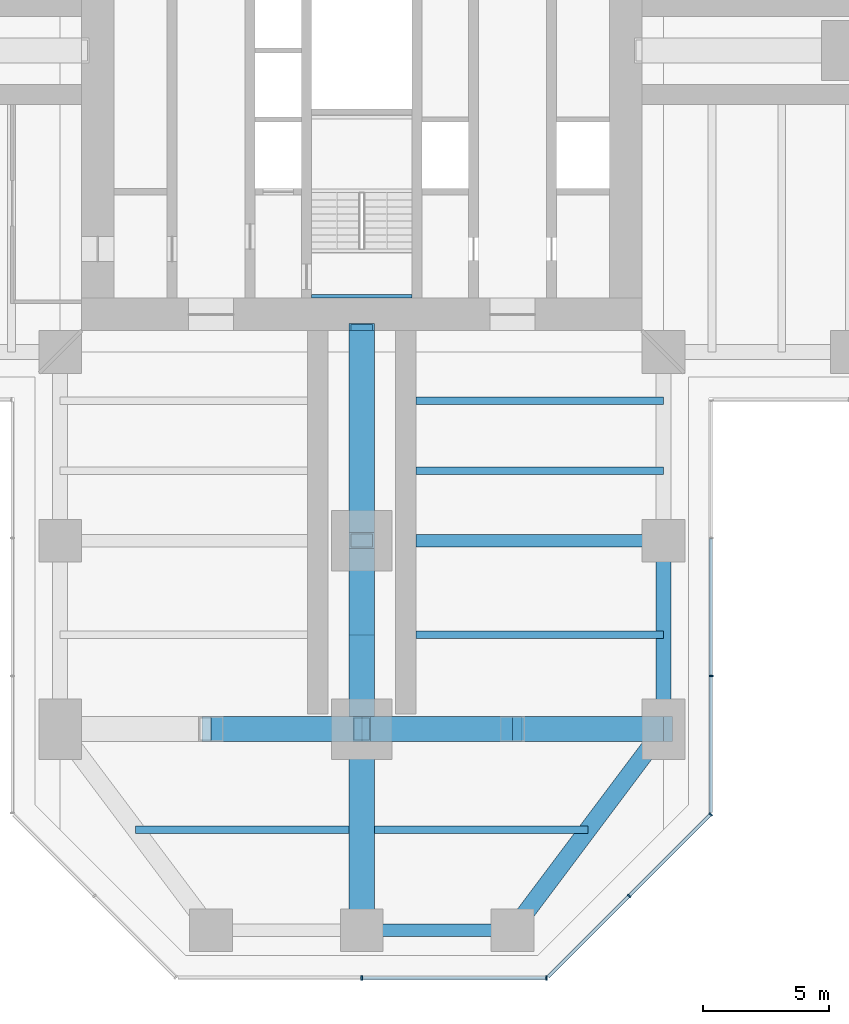
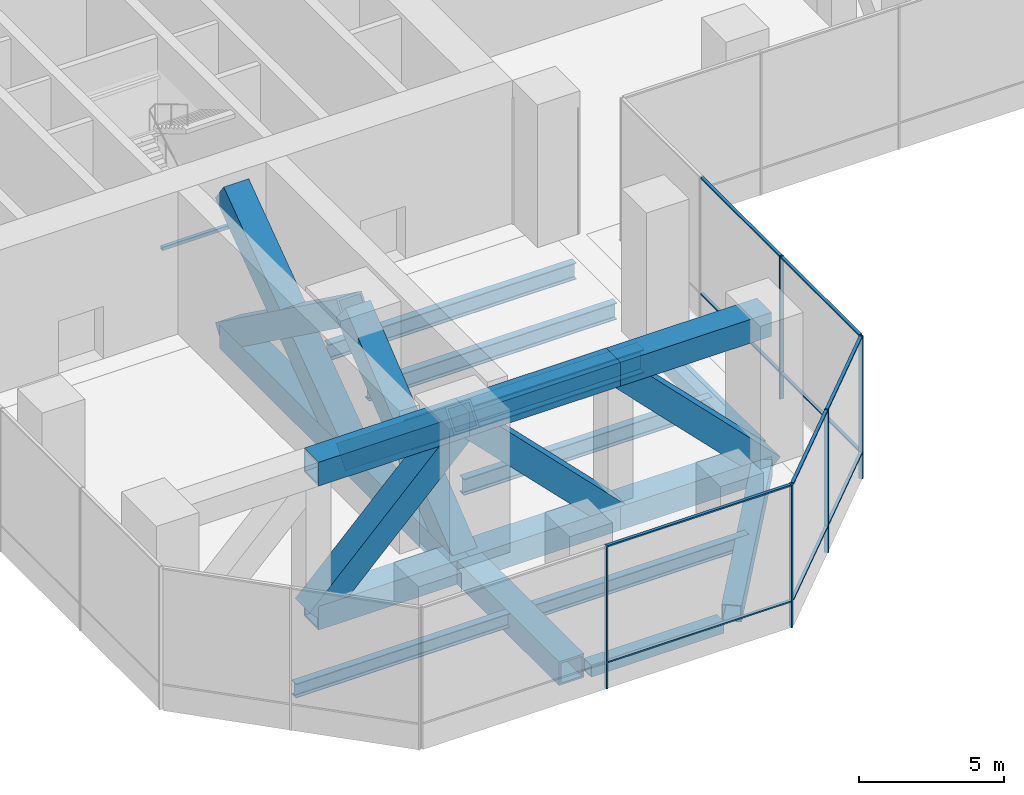
# One storey, part 5 of 20: 28 members, 13 beams, 3 elements without a shape of their own.
"""IFC4 building model written with IfcOpenShell, lengths in metres."""

from ifc_helpers import new_model, si_unit, direction, frame, origin, origin_2d, place, context, subcontext, project, spatial, rectangle, hollow_rectangle, i_section, extrude, material, material_profile, profile_set, type_object, element, aggregate, save


model = new_model("IFC4")

# Units and contexts
model_context = context("Model", 3, precision=1e-05, world=origin(), true_north=direction((0.0, 1.0)))
body_context = subcontext(model_context, "Body", "Model", "MODEL_VIEW")
ifc_project = project(units=[si_unit("LENGTHUNIT", "METRE"), si_unit("AREAUNIT", "SQUARE_METRE"), si_unit("VOLUMEUNIT", "CUBIC_METRE"), si_unit("PLANEANGLEUNIT", "RADIAN"), si_unit("MASSUNIT", "GRAM", prefix="KILO")], contexts=[model_context])

# Site, building, storey
site_placement = place(None, origin())
site = spatial("IfcSite", under=ifc_project, at=site_placement, CompositionType="ELEMENT")
building_placement = place(site_placement, origin())
building = spatial("IfcBuilding", under=site, at=building_placement, Name="Mizan Broadcast Tower", CompositionType="ELEMENT")
storey_placement = place(building_placement, frame((0.0, 0.0, 118.199951171875)))
storey = spatial("IfcBuildingStorey", under=building, at=storey_placement, Name="L26", CompositionType="ELEMENT", Elevation=118.199951171875)

# Members
ifc_material_1 = material(Name="Steel S460", Category="steel")
ifc_material_profile_1 = material_profile(ifc_material_1, hollow_rectangle(XDim=1.0, YDim=1.0, WallThickness=0.080078125, at=origin_2d()), Name="BOX 1000x1000x80")
ifc_profile_set_1 = profile_set([ifc_material_profile_1], Name="Steel S460")
member_type_1 = type_object("IfcMemberType", Name="BELT TRUSS BT2 CHORD BOX 1000x1000x80", PredefinedType="CHORD", material=ifc_profile_set_1)
for number, where, z_axis, x_axis, name in (
    (1, (-6.0, -27.0, -0.679931640625), (1.0, 0.0, 0.0), (0.0, 1.0, 0.0), "Belt truss BT2-S27 bottom chord 2"),
    (2, (-6.0, -27.0, 5.3701171875), (1.0, 0.0, 0.0), (0.0, 1.0, 0.0), "Belt truss BT2-S27 top chord 2"),
    (3, (0.0, -27.0, -0.679931640625), (1.0, 0.0, 0.0), (0.0, 1.0, 0.0), "Belt truss BT2-S27 bottom chord 3"),
    (4, (0.0, -27.0, 5.3701171875), (1.0, 0.0, 0.0), (0.0, 1.0, 0.0), "Belt truss BT2-S27 top chord 3"),
    (5, (6.0, -27.0, -0.679931640625), (1.0, 0.0, 0.0), (0.0, 1.0, 0.0), "Belt truss BT2-S27 bottom chord 4"),
    (6, (6.0, -27.0, 5.3701171875), (1.0, 0.0, 0.0), (0.0, 1.0, 0.0), "Belt truss BT2-S27 top chord 4"),
):
    element("IfcMember", number, at=place(storey_placement, frame(where, z_axis=z_axis, x_axis=x_axis)), inside=storey, type_object=member_type_1, Name=name, PredefinedType="CHORD", context=body_context, shape_type="SweptSolid", body=[
        extrude(hollow_rectangle(XDim=1.0, YDim=1.0, WallThickness=0.080078125, at=origin_2d()), origin(), (0.0, 0.0, 1.0), 6.0),
    ])
ifc_material_2 = material(Name="Steel S460", Category="steel")
ifc_material_profile_2 = material_profile(ifc_material_2, hollow_rectangle(XDim=1.0, YDim=1.0, WallThickness=0.06005859375, at=origin_2d()), Name="BOX 1000x1000x60")
ifc_profile_set_2 = profile_set([ifc_material_profile_2], Name="Steel S460")
member_type_2 = type_object("IfcMemberType", Name="BELT TRUSS BT2 DIAGONAL BOX 1000x1000x60", PredefinedType="BRACE", material=ifc_profile_set_2)
for number, where, z_axis, x_axis, name in (
    (7, (-6.0, -27.0, -0.679931640625), (0.704163801085, 0.0, 0.710037563261), (0.0, 1.0, 0.0), "Belt truss BT2-S27 diagonal 2"),
    (8, (6.0, -27.0, -0.679931640625), (-0.704163801085, 0.0, 0.710037563261), (0.0, -1.0, 0.0), "Belt truss BT2-S27 diagonal 3"),
    (9, (12.0, -27.0, -0.679931640625), (-0.704163801085, 0.0, 0.710037563261), (0.0, -1.0, 0.0), "Belt truss BT2-S27 diagonal 4"),
):
    element("IfcMember", number, at=place(storey_placement, frame(where, z_axis=z_axis, x_axis=x_axis)), inside=storey, type_object=member_type_2, Name=name, PredefinedType="BRACE", context=body_context, shape_type="SweptSolid", body=[
        extrude(hollow_rectangle(XDim=1.0, YDim=1.0, WallThickness=0.06005859375, at=origin_2d()), origin(), (0.0, 0.0, 1.0), 8.520751953125),
    ])

# Beams
ifc_material_3 = material(Name="Steel S355", Category="steel")
ifc_material_profile_3 = material_profile(ifc_material_3, hollow_rectangle(XDim=0.5, YDim=0.5, WallThickness=0.030029296875, at=origin_2d()), Name="BOX 500x500x30")
ifc_profile_set_3 = profile_set([ifc_material_profile_3], Name="Steel S355")
beam_type_1 = type_object("IfcBeamType", Name="EDGE BEAM BOX 500x500x30", PredefinedType="SPANDREL", material=ifc_profile_set_3)
beam_1_placement = place(storey_placement, frame((5.639892578125, -35.0, -0.429931640625), z_axis=(-1.0, 0.0, 0.0), x_axis=(0.0, -1.0, 0.0)))
element("IfcBeam", 10, at=beam_1_placement, inside=storey, type_object=beam_type_1, Name="Edge beam BOX 500x500x30 L26 south arm", PredefinedType="SPANDREL", context=body_context, shape_type="SweptSolid", body=[
    extrude(hollow_rectangle(XDim=0.5, YDim=0.5, WallThickness=0.030029296875, at=origin_2d()), origin(), (0.0, 0.0, 1.0), 5.27978515625),
])
ifc_material_4 = material(Name="Steel S355", Category="steel")
ifc_material_profile_4 = material_profile(ifc_material_4, hollow_rectangle(XDim=0.60009765625, YDim=0.60009765625, WallThickness=0.0400390625, at=origin_2d()), Name="BOX 600x600x40")
ifc_profile_set_4 = profile_set([ifc_material_profile_4], Name="Steel S355")
beam_type_2 = type_object("IfcBeamType", Name="EDGE BEAM BOX 600x600x40", PredefinedType="SPANDREL", material=ifc_profile_set_4)
beam_2_placement = place(storey_placement, frame((12.0, -19.949951171875, -0.47998046875), z_axis=(0.0, -1.0, 0.0), x_axis=(1.0, 0.0, 0.0)))
element("IfcBeam", 11, at=beam_2_placement, inside=storey, type_object=beam_type_2, Name="Edge beam BOX 600x600x40 L26 south arm", PredefinedType="SPANDREL", context=body_context, shape_type="SweptSolid", body=[
    extrude(hollow_rectangle(XDim=0.60009765625, YDim=0.60009765625, WallThickness=0.0400390625, at=origin_2d()), origin(), (0.0, 0.0, 1.0), 6.60009765625),
])
ifc_material_5 = material(Name="Steel S355", Category="steel")
ifc_material_profile_5 = material_profile(ifc_material_5, hollow_rectangle(XDim=0.699951171875, YDim=0.699951171875, WallThickness=0.0400390625, at=origin_2d()), Name="BOX 700x700x40")
ifc_profile_set_5 = profile_set([ifc_material_profile_5], Name="Steel S355")
beam_type_3 = type_object("IfcBeamType", Name="EDGE BEAM BOX 700x700x40", PredefinedType="SPANDREL", material=ifc_profile_set_5)
beam_3_placement = place(storey_placement, frame((11.639892578125, -27.47998046875, -0.530029296875), z_axis=(-0.599982243973, -0.800013316712, 0.0), x_axis=(0.800013316712, -0.599982243973, 0.0)))
element("IfcBeam", 12, at=beam_3_placement, inside=storey, type_object=beam_type_3, Name="Edge beam BOX 700x700x40 L26 south arm", PredefinedType="SPANDREL", context=body_context, shape_type="SweptSolid", body=[
    extrude(hollow_rectangle(XDim=0.699951171875, YDim=0.699951171875, WallThickness=0.0400390625, at=origin_2d()), origin(), (0.0, 0.0, 1.0), 8.7998046875),
])
ifc_material_6 = material(Name="Steel S460", Category="steel")
ifc_material_profile_6 = material_profile(ifc_material_6, hollow_rectangle(XDim=1.0, YDim=1.0, WallThickness=0.080078125, at=origin_2d()), Name="BOX 1000x1000x80")
ifc_profile_set_6 = profile_set([ifc_material_profile_6], Name="Steel S460")
beam_type_4 = type_object("IfcBeamType", Name="GIRDER BOX 1000x1000x80", PredefinedType="BEAM", material=ifc_profile_set_6)
beam_4_placement = place(storey_placement, frame((0.0, -27.47998046875, -0.679931640625), z_axis=(0.0, -1.0, 0.0), x_axis=(1.0, 0.0, 0.0)))
element("IfcBeam", 13, at=beam_4_placement, inside=storey, type_object=beam_type_4, Name="Girder BOX 1000x1000x80 L26 south arm", PredefinedType="BEAM", context=body_context, shape_type="SweptSolid", body=[
    extrude(hollow_rectangle(XDim=1.0, YDim=1.0, WallThickness=0.080078125, at=origin_2d()), origin(), (0.0, 0.0, 1.0), 7.0400390625),
])
ifc_material_7 = material(Name="Steel S460", Category="steel")
ifc_material_profile_7 = material_profile(ifc_material_7, i_section(OverallWidth=0.5, OverallDepth=1.0, WebThickness=0.02490234375, FlangeThickness=0.050048828125, at=origin_2d()), Name="WPG 1000x500")
ifc_profile_set_7 = profile_set([ifc_material_profile_7], Name="Steel S460")
beam_type_5 = type_object("IfcBeamType", Name="GIRDER WPG 1000x500", PredefinedType="BEAM", material=ifc_profile_set_7)
beam_5_placement = place(storey_placement, frame((11.408935546875, -19.5, -0.679931640625), z_axis=(-1.0, 0.0, 0.0), x_axis=(0.0, -1.0, 0.0)))
element("IfcBeam", 14, at=beam_5_placement, inside=storey, type_object=beam_type_5, Name="Girder WPG 1000x500 L26 south arm", PredefinedType="BEAM", context=body_context, shape_type="SweptSolid", body=[
    extrude(i_section(OverallWidth=0.5, OverallDepth=1.0, WebThickness=0.02490234375, FlangeThickness=0.050048828125, at=origin_2d()), origin(), (0.0, 0.0, 1.0), 9.259033203125),
])

# Curtain wall, members
ifc_material_8 = material(Name="Aluminium framed glazing", Category="aluminium")
curtain_wall_type = type_object("IfcCurtainWallType", Name="PLANT LOUVRE", PredefinedType="USERDEFINED", material=ifc_material_8)
curtain_wall_1_placement = place(storey_placement, origin())
curtain_wall_1 = element("IfcCurtainWall", 15, at=curtain_wall_1_placement, inside=storey, type_object=curtain_wall_type, Name="Plant louvre L26 S end", ObjectType="PLANT LOUVRE", PredefinedType="USERDEFINED")
ifc_material_9 = material(Name="Aluminium, pale anodised", Category="aluminium")
ifc_material_profile_8 = material_profile(ifc_material_9, rectangle(XDim=0.159912109375, YDim=0.06005859375, at=origin_2d()), Name="MULLION 160x60")
ifc_profile_set_8 = profile_set([ifc_material_profile_8], Name="Aluminium, pale anodised")
member_type_3 = type_object("IfcMemberType", Name="INNER SKIN MULLION 60x160", PredefinedType="MULLION", material=ifc_profile_set_8)
member_1_placement = place(storey_placement, frame((0.0, -36.89990234375, 0.0), z_axis=(0.0, 0.0, 1.0), x_axis=(0.0, 1.0, 0.0)))
member_1 = element("IfcMember", 16, at=member_1_placement, type_object=member_type_3, Name="Plant louvre L26 S end mullion 2", PredefinedType="MULLION", context=body_context, shape_type="SweptSolid", body=[
    extrude(rectangle(XDim=0.159912109375, YDim=0.06005859375, at=origin_2d()), origin(), (0.0, 0.0, 1.0), 6.0),
])
member_2_placement = place(storey_placement, frame((7.3427734375, -36.89990234375, 0.0), z_axis=(0.0, 0.0, 1.0), x_axis=(0.0, 1.0, 0.0)))
member_2 = element("IfcMember", 17, at=member_2_placement, type_object=member_type_3, Name="Plant louvre L26 S end mullion 3", PredefinedType="MULLION", context=body_context, shape_type="SweptSolid", body=[
    extrude(rectangle(XDim=0.159912109375, YDim=0.06005859375, at=origin_2d()), origin(), (0.0, 0.0, 1.0), 6.0),
])

curtain_wall_2_placement = place(storey_placement, origin())
curtain_wall_2 = element("IfcCurtainWall", 18, at=curtain_wall_2_placement, inside=storey, type_object=curtain_wall_type, Name="Plant louvre L26 S chamfer", ObjectType="PLANT LOUVRE", PredefinedType="USERDEFINED")
member_3_placement = place(storey_placement, frame((10.636474609375, -33.636474609375, 0.0), z_axis=(0.0, 0.0, 1.0), x_axis=(-0.707106781187, 0.707106781187, 0.0)))
member_3 = element("IfcMember", 19, at=member_3_placement, type_object=member_type_3, Name="Plant louvre L26 S chamfer mullion 2", PredefinedType="MULLION", context=body_context, shape_type="SweptSolid", body=[
    extrude(rectangle(XDim=0.159912109375, YDim=0.06005859375, at=origin_2d()), origin(), (0.0, 0.0, 1.0), 6.0),
])
member_4_placement = place(storey_placement, frame((13.87890625, -30.39404296875, 0.0), z_axis=(0.0, 0.0, 1.0), x_axis=(-0.707106781187, 0.707106781187, 0.0)))
member_4 = element("IfcMember", 20, at=member_4_placement, type_object=member_type_3, Name="Plant louvre L26 S chamfer mullion 3", PredefinedType="MULLION", context=body_context, shape_type="SweptSolid", body=[
    extrude(rectangle(XDim=0.159912109375, YDim=0.06005859375, at=origin_2d()), origin(), (0.0, 0.0, 1.0), 6.0),
])

# Curtain wall, member
curtain_wall_3_placement = place(storey_placement, origin())
curtain_wall_3 = element("IfcCurtainWall", 21, at=curtain_wall_3_placement, inside=storey, type_object=curtain_wall_type, Name="Plant louvre L26 S side", ObjectType="PLANT LOUVRE", PredefinedType="USERDEFINED")
member_5_placement = place(storey_placement, frame((13.89990234375, -24.8818359375, 0.0), z_axis=(0.0, 0.0, 1.0), x_axis=(-1.0, 0.0, 0.0)))
member_5 = element("IfcMember", 22, at=member_5_placement, type_object=member_type_3, Name="Plant louvre L26 S side mullion 2", PredefinedType="MULLION", context=body_context, shape_type="SweptSolid", body=[
    extrude(rectangle(XDim=0.159912109375, YDim=0.06005859375, at=origin_2d()), origin(), (0.0, 0.0, 1.0), 6.0),
])

# Member
ifc_material_10 = material(Name="Aluminium, pale anodised", Category="aluminium")
ifc_material_profile_9 = material_profile(ifc_material_10, rectangle(XDim=0.1201171875, YDim=0.06005859375, at=origin_2d()), Name="TRANSOM 120x60")
ifc_profile_set_9 = profile_set([ifc_material_profile_9], Name="Aluminium, pale anodised")
member_type_4 = type_object("IfcMemberType", Name="INNER SKIN TRANSOM 60x120", PredefinedType="USERDEFINED", material=ifc_profile_set_9)
member_6_placement = place(storey_placement, frame((0.030029296875, -36.89990234375, 1.10009765625), z_axis=(1.0, 0.0, 0.0), x_axis=(0.0, 1.0, 0.0)))
member_6 = element("IfcMember", 23, at=member_6_placement, type_object=member_type_4, Name="Plant louvre L26 S end transom 2.1", ObjectType="TRANSOM", PredefinedType="USERDEFINED", context=body_context, shape_type="SweptSolid", body=[
    extrude(rectangle(XDim=0.1201171875, YDim=0.06005859375, at=origin_2d()), origin(), (0.0, 0.0, 1.0), 7.28271484375),
])

member_7_placement = place(storey_placement, frame((0.030029296875, -36.89990234375, 5.969970703125), z_axis=(1.0, 0.0, 0.0), x_axis=(0.0, 1.0, 0.0)))
member_7 = element("IfcMember", 24, at=member_7_placement, type_object=member_type_4, Name="Plant louvre L26 S end transom 2.2", ObjectType="TRANSOM", PredefinedType="USERDEFINED", context=body_context, shape_type="SweptSolid", body=[
    extrude(rectangle(XDim=0.1201171875, YDim=0.06005859375, at=origin_2d()), origin(), (0.0, 0.0, 1.0), 7.28271484375),
])

aggregate(curtain_wall_1, [member_1, member_2, member_6, member_7])

member_8_placement = place(storey_placement, frame((7.415283203125, -36.857666015625, 1.10009765625), z_axis=(0.707106781187, 0.707106781187, 0.0), x_axis=(-0.707106781187, 0.707106781187, 0.0)))
member_8 = element("IfcMember", 25, at=member_8_placement, type_object=member_type_4, Name="Plant louvre L26 S chamfer transom 1.1", ObjectType="TRANSOM", PredefinedType="USERDEFINED", context=body_context, shape_type="SweptSolid", body=[
    extrude(rectangle(XDim=0.1201171875, YDim=0.06005859375, at=origin_2d()), origin(), (0.0, 0.0, 1.0), 4.525390625),
])

member_9_placement = place(storey_placement, frame((7.415283203125, -36.857666015625, 5.969970703125), z_axis=(0.707106781187, 0.707106781187, 0.0), x_axis=(-0.707106781187, 0.707106781187, 0.0)))
member_9 = element("IfcMember", 26, at=member_9_placement, type_object=member_type_4, Name="Plant louvre L26 S chamfer transom 1.2", ObjectType="TRANSOM", PredefinedType="USERDEFINED", context=body_context, shape_type="SweptSolid", body=[
    extrude(rectangle(XDim=0.1201171875, YDim=0.06005859375, at=origin_2d()), origin(), (0.0, 0.0, 1.0), 4.525390625),
])

member_10_placement = place(storey_placement, frame((10.65771484375, -33.615234375, 1.10009765625), z_axis=(0.707106781187, 0.707106781187, 0.0), x_axis=(-0.707106781187, 0.707106781187, 0.0)))
member_10 = element("IfcMember", 27, at=member_10_placement, type_object=member_type_4, Name="Plant louvre L26 S chamfer transom 2.1", ObjectType="TRANSOM", PredefinedType="USERDEFINED", context=body_context, shape_type="SweptSolid", body=[
    extrude(rectangle(XDim=0.1201171875, YDim=0.06005859375, at=origin_2d()), origin(), (0.0, 0.0, 1.0), 4.525390625),
])

member_11_placement = place(storey_placement, frame((10.65771484375, -33.615234375, 5.969970703125), z_axis=(0.707106781187, 0.707106781187, 0.0), x_axis=(-0.707106781187, 0.707106781187, 0.0)))
member_11 = element("IfcMember", 28, at=member_11_placement, type_object=member_type_4, Name="Plant louvre L26 S chamfer transom 2.2", ObjectType="TRANSOM", PredefinedType="USERDEFINED", context=body_context, shape_type="SweptSolid", body=[
    extrude(rectangle(XDim=0.1201171875, YDim=0.06005859375, at=origin_2d()), origin(), (0.0, 0.0, 1.0), 4.525390625),
])

aggregate(curtain_wall_2, [member_3, member_4, member_8, member_9, member_10, member_11])

member_12_placement = place(storey_placement, frame((13.89990234375, -30.312744140625, 1.10009765625), z_axis=(0.0, 1.0, 0.0), x_axis=(-1.0, 0.0, 0.0)))
member_12 = element("IfcMember", 29, at=member_12_placement, type_object=member_type_4, Name="Plant louvre L26 S side transom 1.1", ObjectType="TRANSOM", PredefinedType="USERDEFINED", context=body_context, shape_type="SweptSolid", body=[
    extrude(rectangle(XDim=0.1201171875, YDim=0.06005859375, at=origin_2d()), origin(), (0.0, 0.0, 1.0), 5.40087890625),
])

member_13_placement = place(storey_placement, frame((13.89990234375, -30.312744140625, 5.969970703125), z_axis=(0.0, 1.0, 0.0), x_axis=(-1.0, 0.0, 0.0)))
member_13 = element("IfcMember", 30, at=member_13_placement, type_object=member_type_4, Name="Plant louvre L26 S side transom 1.2", ObjectType="TRANSOM", PredefinedType="USERDEFINED", context=body_context, shape_type="SweptSolid", body=[
    extrude(rectangle(XDim=0.1201171875, YDim=0.06005859375, at=origin_2d()), origin(), (0.0, 0.0, 1.0), 5.40087890625),
])

member_14_placement = place(storey_placement, frame((13.89990234375, -24.851806640625, 1.10009765625), z_axis=(0.0, 1.0, 0.0), x_axis=(-1.0, 0.0, 0.0)))
member_14 = element("IfcMember", 31, at=member_14_placement, type_object=member_type_4, Name="Plant louvre L26 S side transom 2.1", ObjectType="TRANSOM", PredefinedType="USERDEFINED", context=body_context, shape_type="SweptSolid", body=[
    extrude(rectangle(XDim=0.1201171875, YDim=0.06005859375, at=origin_2d()), origin(), (0.0, 0.0, 1.0), 5.430908203125),
])

member_15_placement = place(storey_placement, frame((13.89990234375, -24.851806640625, 5.969970703125), z_axis=(0.0, 1.0, 0.0), x_axis=(-1.0, 0.0, 0.0)))
member_15 = element("IfcMember", 32, at=member_15_placement, type_object=member_type_4, Name="Plant louvre L26 S side transom 2.2", ObjectType="TRANSOM", PredefinedType="USERDEFINED", context=body_context, shape_type="SweptSolid", body=[
    extrude(rectangle(XDim=0.1201171875, YDim=0.06005859375, at=origin_2d()), origin(), (0.0, 0.0, 1.0), 5.430908203125),
])

aggregate(curtain_wall_3, [member_5, member_12, member_13, member_14, member_15])

# Beams
ifc_material_11 = material(Name="Steel S355", Category="steel")
ifc_material_profile_10 = material_profile(ifc_material_11, hollow_rectangle(XDim=0.14990234375, YDim=0.14990234375, WallThickness=0.008056640625, InnerFilletRadius=0.008056640625, OuterFilletRadius=0.011962890625, at=origin_2d()), Name="SHS 150x150x8")
ifc_profile_set_10 = profile_set([ifc_material_profile_10], Name="Steel S355")
beam_type_6 = type_object("IfcBeamType", Name="LANDING TRIMMER SHS 150x150x8", PredefinedType="BEAM", material=ifc_profile_set_10)
beam_6_placement = place(storey_placement, frame((-2.0, -9.77490234375, 2.72509765625), z_axis=(1.0, 0.0, 0.0), x_axis=(0.0, 1.0, 0.0)))
element("IfcBeam", 33, at=beam_6_placement, inside=storey, type_object=beam_type_6, Name="Stair A landing trimmer L26", PredefinedType="BEAM", context=body_context, shape_type="SweptSolid", body=[
    extrude(hollow_rectangle(XDim=0.14990234375, YDim=0.14990234375, WallThickness=0.008056640625, InnerFilletRadius=0.008056640625, OuterFilletRadius=0.011962890625, at=origin_2d()), origin(), (0.0, 0.0, 1.0), 4.0),
])
ifc_material_12 = material(Name="Steel S460", Category="steel")
ifc_material_profile_11 = material_profile(ifc_material_12, hollow_rectangle(XDim=1.0, YDim=1.0, WallThickness=0.080078125, at=origin_2d()), Name="BOX 1000x1000x80")
ifc_profile_set_11 = profile_set([ifc_material_profile_11], Name="Steel S460")
beam_type_7 = type_object("IfcBeamType", Name="OUTRIGGER TRUSS OT2 CHORD BOX 1000x1000x80", PredefinedType="BEAM", material=ifc_profile_set_11)
beam_7_placement = place(storey_placement, frame((0.0, -11.14990234375, -0.679931640625), z_axis=(0.0, -1.0, 0.0), x_axis=(1.0, 0.0, 0.0)))
element("IfcBeam", 34, at=beam_7_placement, inside=storey, type_object=beam_type_7, Name="Outrigger truss OT2-S bottom chord 1", PredefinedType="BEAM", context=body_context, shape_type="SweptSolid", body=[
    extrude(hollow_rectangle(XDim=1.0, YDim=1.0, WallThickness=0.080078125, at=origin_2d()), origin(), (0.0, 0.0, 1.0), 8.35009765625),
])
beam_8_placement = place(storey_placement, frame((0.0, -19.5, -0.679931640625), z_axis=(0.0, -1.0, 0.0), x_axis=(1.0, 0.0, 0.0)))
element("IfcBeam", 35, at=beam_8_placement, inside=storey, type_object=beam_type_7, Name="Outrigger truss OT2-S bottom chord 2", PredefinedType="BEAM", context=body_context, shape_type="SweptSolid", body=[
    extrude(hollow_rectangle(XDim=1.0, YDim=1.0, WallThickness=0.080078125, at=origin_2d()), origin(), (0.0, 0.0, 1.0), 7.5),
])

# Members
ifc_material_13 = material(Name="Steel S460", Category="steel")
ifc_material_profile_12 = material_profile(ifc_material_13, hollow_rectangle(XDim=1.0, YDim=1.0, WallThickness=0.080078125, at=origin_2d()), Name="BOX 1000x1000x80")
ifc_profile_set_12 = profile_set([ifc_material_profile_12], Name="Steel S460")
member_type_5 = type_object("IfcMemberType", Name="OUTRIGGER TRUSS OT2 DIAGONAL BOX 1000x1000x80", PredefinedType="BRACE", material=ifc_profile_set_12)
for number, where, z_axis, x_axis, name in (
    (36, (0.0, -11.14990234375, -0.679931640625), (0.0, -0.809784242605, 0.586727773698), (1.0, 0.0, 0.0), "Outrigger truss OT2-S panel 1 diagonal 1"),
    (37, (0.0, -11.14990234375, 5.3701171875), (0.0, -0.809784242605, -0.586727773698), (1.0, 0.0, 0.0), "Outrigger truss OT2-S panel 1 diagonal 2"),
):
    element("IfcMember", number, at=place(storey_placement, frame(where, z_axis=z_axis, x_axis=x_axis)), inside=storey, type_object=member_type_5, Name=name, PredefinedType="BRACE", context=body_context, shape_type="SweptSolid", body=[
        extrude(hollow_rectangle(XDim=1.0, YDim=1.0, WallThickness=0.080078125, at=origin_2d()), origin(), (0.0, 0.0, 1.0), 10.3115234375),
    ])
for number, where, z_axis, x_axis, name in (
    (38, (0.0, -19.5, -0.679931640625), (0.0, -0.77832876476, 0.627856937484), (1.0, 0.0, 0.0), "Outrigger truss OT2-S panel 2 diagonal 1"),
    (39, (0.0, -19.5, 5.3701171875), (0.0, -0.77832876476, -0.627856937484), (1.0, 0.0, 0.0), "Outrigger truss OT2-S panel 2 diagonal 2"),
):
    element("IfcMember", number, at=place(storey_placement, frame(where, z_axis=z_axis, x_axis=x_axis)), inside=storey, type_object=member_type_5, Name=name, PredefinedType="BRACE", context=body_context, shape_type="SweptSolid", body=[
        extrude(hollow_rectangle(XDim=1.0, YDim=1.0, WallThickness=0.080078125, at=origin_2d()), origin(), (0.0, 0.0, 1.0), 9.635986328125),
    ])

# Beams
ifc_material_14 = material(Name="Steel S355", Category="steel")
ifc_material_profile_13 = material_profile(ifc_material_14, i_section(OverallWidth=0.300048828125, OverallDepth=0.590087890625, WebThickness=0.012939453125, FlangeThickness=0.02490234375, FilletRadius=0.027099609375, at=origin_2d()), Name="HEA 600")
ifc_profile_set_13 = profile_set([ifc_material_profile_13], Name="Steel S355")
beam_type_8 = type_object("IfcBeamType", Name="SECONDARY BEAM HEA 600", PredefinedType="JOIST", material=ifc_profile_set_13)
for number, where, z_axis, x_axis, name in (
    (40, (-9.0, -31.0, -0.474853515625), (1.0, 0.0, 0.0), (0.0, 1.0, 0.0), "Secondary beam HEA 600 L26 south arm"),
    (41, (9.0, -31.0, -0.474853515625), (-1.0, 0.0, 0.0), (0.0, -1.0, 0.0), "Secondary beam HEA 600 L26 south arm"),
):
    element("IfcBeam", number, at=place(storey_placement, frame(where, z_axis=z_axis, x_axis=x_axis)), inside=storey, type_object=beam_type_8, Name=name, PredefinedType="JOIST", context=body_context, shape_type="SweptSolid", body=[
        extrude(i_section(OverallWidth=0.300048828125, OverallDepth=0.590087890625, WebThickness=0.012939453125, FlangeThickness=0.02490234375, FilletRadius=0.027099609375, at=origin_2d()), origin(), (0.0, 0.0, 1.0), 8.5),
    ])
ifc_material_15 = material(Name="Steel S355", Category="steel")
ifc_material_profile_14 = material_profile(ifc_material_15, i_section(OverallWidth=0.300048828125, OverallDepth=0.68994140625, WebThickness=0.014404296875, FlangeThickness=0.027099609375, FilletRadius=0.027099609375, at=origin_2d()), Name="HEA 700")
ifc_profile_set_14 = profile_set([ifc_material_profile_14], Name="Steel S355")
beam_type_9 = type_object("IfcBeamType", Name="SECONDARY BEAM HEA 700", PredefinedType="JOIST", material=ifc_profile_set_14)
for number, where, z_axis, x_axis, name in (
    (42, (12.0, -13.933349609375, -0.52490234375), (-1.0, 0.0, 0.0), (0.0, -1.0, 0.0), "Secondary beam HEA 700 L26 south arm"),
    (43, (12.0, -16.716552734375, -0.52490234375), (-1.0, 0.0, 0.0), (0.0, -1.0, 0.0), "Secondary beam HEA 700 L26 south arm"),
    (44, (12.0, -23.25, -0.52490234375), (-1.0, 0.0, 0.0), (0.0, -1.0, 0.0), "Secondary beam HEA 700 L26 south arm"),
):
    element("IfcBeam", number, at=place(storey_placement, frame(where, z_axis=z_axis, x_axis=x_axis)), inside=storey, type_object=beam_type_9, Name=name, PredefinedType="JOIST", context=body_context, shape_type="SweptSolid", body=[
        extrude(i_section(OverallWidth=0.300048828125, OverallDepth=0.68994140625, WebThickness=0.014404296875, FlangeThickness=0.027099609375, FilletRadius=0.027099609375, at=origin_2d()), origin(), (0.0, 0.0, 1.0), 9.85009765625),
    ])

save(model, "model.ifc")
